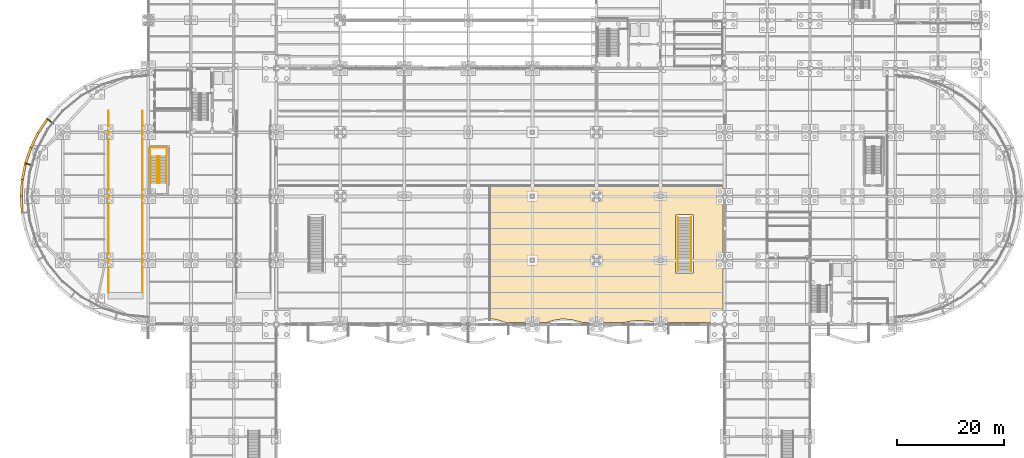
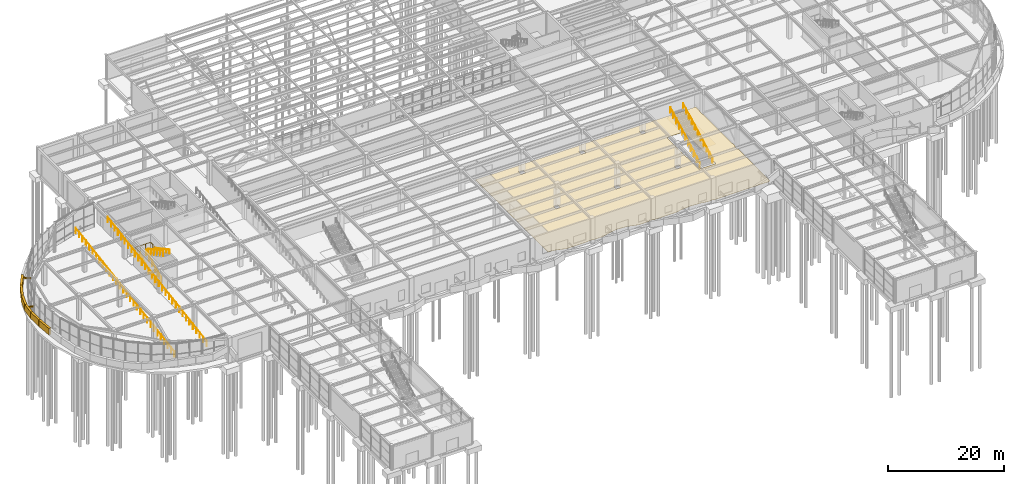
# One storey, part 76 of 85: 9 coverings, 8 railings.
"""IFC4 building model written with IfcOpenShell, lengths in metres."""

from ifc_helpers import new_model, si_unit, direction, frame, frame_2d, origin, origin_2d, place, context, subcontext, project, spatial, polyline, rectangle, circle, outline, extrude, material, layer, layer_set, type_object, element, save


model = new_model("IFC4")

# Units and contexts
model_context = context("Model", 3, precision=1e-05, world=origin(), true_north=direction((0.0, 1.0)))
body_context = subcontext(model_context, "Body", "Model", "MODEL_VIEW")
ifc_project = project(units=[si_unit("LENGTHUNIT", "METRE"), si_unit("AREAUNIT", "SQUARE_METRE"), si_unit("VOLUMEUNIT", "CUBIC_METRE"), si_unit("PLANEANGLEUNIT", "RADIAN"), si_unit("MASSUNIT", "GRAM", prefix="KILO")], contexts=[model_context])

# Site, building, storey
site_placement = place(None, origin())
site = spatial("IfcSite", under=ifc_project, at=site_placement, CompositionType="ELEMENT")
building_placement = place(site_placement, origin())
building = spatial("IfcBuilding", under=site, at=building_placement, Name="Keelwater Ferry Terminal", CompositionType="ELEMENT")
storey_placement = place(building_placement, origin())
storey = spatial("IfcBuildingStorey", under=building, at=storey_placement, Name="L00", CompositionType="ELEMENT", Elevation=0.0)

# Covering
ifc_material_1 = material(Name="Polished mineral terrazzo tile", Category="stone")
ifc_layer_1 = layer(ifc_material_1, 0.030029296875)
ifc_layer_set_1 = layer_set([ifc_layer_1], Name="Polished mineral terrazzo tile")
covering_type_1 = type_object("IfcCoveringType", Name="FL-TZ Marine Terrazzo Flooring", PredefinedType="FLOORING", material=ifc_layer_set_1)
covering_1_placement = place(storey_placement, origin())
element("IfcCovering", 1, at=covering_1_placement, inside=storey, type_object=covering_type_1, Name="Passenger Security Check-In Hall Terrazzo Floor", PredefinedType="FLOORING", context=body_context, shape_type="SweptSolid", body=[
    extrude(outline(polyline([(95.56298828125, 42.320068359375), (95.554931640625, 42.320068359375), (91.1650390625, 42.320068359375), (91.156982421875, 42.320068359375), (91.14892578125, 42.322021484375), (91.14111328125, 42.323974609375), (91.135986328125, 42.324951171875), (90.986083984375, 42.376953125), (90.97802734375, 42.3798828125), (89.18994140625, 42.93994140625), (89.160888671875, 42.947998046875), (89.132080078125, 42.951904296875), (87.987060546875, 43.05810546875), (87.985107421875, 43.05810546875), (87.97705078125, 43.06005859375), (87.969970703125, 43.06298828125), (87.962890625, 43.06591796875), (87.9560546875, 43.070068359375), (87.948974609375, 43.074951171875), (87.944091796875, 43.080078125), (87.93798828125, 43.0859375), (87.93408203125, 43.092041015625), (87.928955078125, 43.09912109375), (87.926025390625, 43.10595703125), (87.923095703125, 43.114013671875), (87.922119140625, 43.12109375), (87.919921875, 43.12890625), (87.919921875, 43.136962890625), (87.919921875, 68.0), (87.919921875, 68.008056640625), (87.922119140625, 68.01611328125), (87.923095703125, 68.02294921875), (87.926025390625, 68.031005859375), (87.928955078125, 68.0380859375), (87.93310546875, 68.0439453125), (87.93798828125, 68.051025390625), (87.943115234375, 68.056884765625), (87.948974609375, 68.06201171875), (87.9560546875, 68.06689453125), (87.9619140625, 68.071044921875), (87.968994140625, 68.073974609375), (87.97705078125, 68.076904296875), (87.98388671875, 68.077880859375), (87.991943359375, 68.080078125), (88.0, 68.080078125), (131.60009765625, 68.080078125), (131.60791015625, 68.080078125), (131.615966796875, 68.077880859375), (131.623046875, 68.076904296875), (131.631103515625, 68.073974609375), (131.637939453125, 68.071044921875), (131.64404296875, 68.06689453125), (131.65087890625, 68.06201171875), (131.656982421875, 68.056884765625), (131.662109375, 68.051025390625), (131.6669921875, 68.0439453125), (131.6708984375, 68.0380859375), (131.674072265625, 68.031005859375), (131.677001953125, 68.02294921875), (131.677978515625, 68.01611328125), (131.679931640625, 68.008056640625), (131.679931640625, 68.0), (131.679931640625, 66.445068359375), (131.679931640625, 66.43701171875), (131.678955078125, 66.43505859375), (131.56494140625, 66.43505859375), (131.56494140625, 65.56494140625), (131.678955078125, 65.56494140625), (131.679931640625, 65.56298828125), (131.679931640625, 65.554931640625), (131.679931640625, 54.445068359375), (131.679931640625, 54.43701171875), (131.678955078125, 54.43505859375), (131.56494140625, 54.43505859375), (131.56494140625, 53.56494140625), (131.678955078125, 53.56494140625), (131.679931640625, 53.56298828125), (131.679931640625, 53.554931640625), (131.679931640625, 42.52001953125), (131.679931640625, 42.511962890625), (131.678955078125, 42.510009765625), (131.489990234375, 42.510009765625), (131.489990234375, 42.321044921875), (131.488037109375, 42.320068359375), (131.47998046875, 42.320068359375), (130.7060546875, 42.320068359375), (130.7041015625, 42.320068359375), (130.693115234375, 42.320068359375), (130.221923828125, 42.3349609375), (130.212890625, 42.3349609375), (130.212890625, 42.3349609375), (130.212890625, 42.3349609375), (128.428955078125, 42.337890625), (128.428955078125, 42.337890625), (128.426025390625, 42.337890625), (128.410888671875, 42.337890625), (128.094970703125, 42.320068359375), (128.091064453125, 42.320068359375), (120.445068359375, 42.320068359375), (120.43701171875, 42.320068359375), (120.43505859375, 42.321044921875), (120.43505859375, 42.43505859375), (119.56494140625, 42.43505859375), (119.56494140625, 42.360107421875), (119.55810546875, 42.35888671875), (119.550048828125, 42.35888671875), (119.547119140625, 42.35888671875), (119.531005859375, 42.362060546875), (117.7451171875, 42.64208984375), (117.718017578125, 42.64501953125), (115.930908203125, 42.75), (115.908935546875, 42.75), (115.886962890625, 42.7490234375), (114.10009765625, 42.56689453125), (114.06689453125, 42.56103515625), (113.001953125, 42.322021484375), (112.993896484375, 42.320068359375), (112.985107421875, 42.320068359375), (108.445068359375, 42.320068359375), (108.43701171875, 42.320068359375), (108.43505859375, 42.321044921875), (108.43505859375, 42.43505859375), (107.56494140625, 42.43505859375), (107.56494140625, 42.321044921875), (107.56298828125, 42.320068359375), (107.554931640625, 42.320068359375), (105.5439453125, 42.320068359375), (105.537109375, 42.320068359375), (105.530029296875, 42.321044921875), (105.52490234375, 42.322021484375), (105.26806640625, 42.39599609375), (105.263916015625, 42.39697265625), (103.47705078125, 42.8798828125), (103.452880859375, 42.885986328125), (103.451904296875, 42.885986328125), (103.450927734375, 42.885986328125), (103.427001953125, 42.888916015625), (101.639892578125, 43.0390625), (101.616943359375, 43.0400390625), (101.593994140625, 43.0390625), (101.571044921875, 43.035888671875), (99.783935546875, 42.739013671875), (99.76708984375, 42.736083984375), (99.762939453125, 42.735107421875), (99.759033203125, 42.73388671875), (99.741943359375, 42.72900390625), (98.512939453125, 42.323974609375), (98.506103515625, 42.322021484375), (98.4970703125, 42.320068359375), (98.489013671875, 42.320068359375), (96.445068359375, 42.320068359375), (96.43701171875, 42.320068359375), (96.43505859375, 42.321044921875), (96.43505859375, 42.43505859375), (95.56494140625, 42.43505859375), (95.56494140625, 42.321044921875), (95.56298828125, 42.320068359375)]), holes=[polyline([(123.080078125, 62.47998046875), (122.800048828125, 62.47998046875), (122.800048828125, 51.60009765625), (126.199951171875, 51.60009765625), (126.199951171875, 62.47998046875), (125.919921875, 62.47998046875), (125.919921875, 62.6201171875), (123.080078125, 62.6201171875), (123.080078125, 62.47998046875)]), polyline([(107.56494140625, 54.43505859375), (107.56494140625, 53.56494140625), (108.43505859375, 53.56494140625), (108.43505859375, 54.43505859375), (107.56494140625, 54.43505859375)]), polyline([(96.43505859375, 54.43505859375), (95.56494140625, 54.43505859375), (95.56494140625, 53.56494140625), (96.43505859375, 53.56494140625), (96.43505859375, 54.43505859375)]), polyline([(119.56494140625, 54.43505859375), (119.56494140625, 53.56494140625), (120.43505859375, 53.56494140625), (120.43505859375, 54.43505859375), (119.56494140625, 54.43505859375)]), polyline([(108.43505859375, 66.43505859375), (107.56494140625, 66.43505859375), (107.56494140625, 65.56494140625), (108.43505859375, 65.56494140625), (108.43505859375, 66.43505859375)]), polyline([(95.56494140625, 66.43505859375), (95.56494140625, 65.56494140625), (96.43505859375, 65.56494140625), (96.43505859375, 66.43505859375), (95.56494140625, 66.43505859375)]), polyline([(120.43505859375, 66.43505859375), (119.56494140625, 66.43505859375), (119.56494140625, 65.56494140625), (120.43505859375, 65.56494140625), (120.43505859375, 66.43505859375)])]), origin(), (0.0, 0.0, 1.0), 0.030029296875),
])

# Railings
ifc_material_2 = material(Name="Painted Steel S355", Category="steel")
railing_type_1 = type_object("IfcRailingType", Name="GR-115 Stair Well Guardrail", PredefinedType="GUARDRAIL", material=ifc_material_2)
railing_1_placement = place(storey_placement, frame((25.7099609375, 68.5, 0.0)))
element("IfcRailing", 2, at=railing_1_placement, inside=storey, type_object=railing_type_1, Name="Stair ST-W6-L00 Inner Well Guard 104", PredefinedType="GUARDRAIL", context=body_context, shape_type="SweptSolid", body=[
    extrude(circle(Radius=0.02392578125, at=origin_2d()), frame((0.0, 0.0, 1.1259765625), z_axis=(0.0, 0.881485048194, 0.472211933151), x_axis=(-1.0, 0.0, 0.0)), (0.0, 0.0, 1.0), 5.7177734375),
    extrude(circle(Radius=0.02392578125, at=origin_2d()), frame((0.0, 5.0400390625, 3.82568359375), z_axis=(1.0, 0.0, 0.0), x_axis=(0.0, 1.0, 0.0)), (0.0, 0.0, 1.0), 0.419921875),
    extrude(circle(Radius=0.02392578125, at=origin_2d()), frame((0.419921875, 5.0400390625, 3.82568359375), z_axis=(0.0, -0.881485048194, 0.472211933151), x_axis=(1.0, 0.0, 0.0)), (0.0, 0.0, 1.0), 5.7177734375),
    extrude(circle(Radius=0.02099609375, at=origin_2d()), origin(), (0.0, 0.0, 1.0), 1.101806640625),
    extrude(circle(Radius=0.02099609375, at=origin_2d()), frame((0.0, 1.008056640625, 0.5400390625)), (0.0, 0.0, 1.0), 1.101806640625),
    extrude(circle(Radius=0.02099609375, at=origin_2d()), frame((0.0, 2.01611328125, 1.080078125)), (0.0, 0.0, 1.0), 1.101806640625),
    extrude(circle(Radius=0.02099609375, at=origin_2d()), frame((0.0, 3.02392578125, 1.619873046875)), (0.0, 0.0, 1.0), 1.101806640625),
    extrude(circle(Radius=0.02099609375, at=origin_2d()), frame((0.0, 4.031982421875, 2.159912109375)), (0.0, 0.0, 1.0), 1.101806640625),
    extrude(circle(Radius=0.02099609375, at=origin_2d()), frame((0.0, 5.0400390625, 2.699951171875)), (0.0, 0.0, 1.0), 1.101806640625),
    extrude(circle(Radius=0.02099609375, at=origin_2d()), frame((0.419921875, 5.0400390625, 2.699951171875)), (0.0, 0.0, 1.0), 1.101806640625),
    extrude(circle(Radius=0.02099609375, at=origin_2d()), frame((0.419921875, 4.031982421875, 3.239990234375)), (0.0, 0.0, 1.0), 1.101806640625),
    extrude(circle(Radius=0.02099609375, at=origin_2d()), frame((0.419921875, 3.02392578125, 3.780029296875)), (0.0, 0.0, 1.0), 1.101806640625),
    extrude(circle(Radius=0.02099609375, at=origin_2d()), frame((0.419921875, 2.01611328125, 4.31982421875)), (0.0, 0.0, 1.0), 1.101806640625),
    extrude(circle(Radius=0.02099609375, at=origin_2d()), frame((0.419921875, 1.008056640625, 4.85986328125)), (0.0, 0.0, 1.0), 1.101806640625),
    extrude(circle(Radius=0.02099609375, at=origin_2d()), frame((0.419921875, 0.0, 5.39990234375)), (0.0, 0.0, 1.0), 1.101806640625),
])
railing_2_placement = place(storey_placement, frame((24.39990234375, 73.5400390625, 2.699951171875)))
element("IfcRailing", 3, at=railing_2_placement, inside=storey, type_object=railing_type_1, Name="Stair ST-W6-L00 Half-Landing Guard 105", PredefinedType="GUARDRAIL", context=body_context, shape_type="SweptSolid", body=[
    extrude(circle(Radius=0.02392578125, at=origin_2d()), frame((0.0, 0.0, 1.1259765625), z_axis=(-1.0, 0.0, 0.0), x_axis=(0.0, -1.0, 0.0)), (0.0, 0.0, 1.0), 0.02001953125),
    extrude(circle(Radius=0.02392578125, at=origin_2d()), frame((-0.02001953125, 0.0, 1.1259765625), z_axis=(0.0, 1.0, 0.0), x_axis=(-1.0, 0.0, 0.0)), (0.0, 0.0, 1.0), 1.580078125),
    extrude(circle(Radius=0.02392578125, at=origin_2d()), frame((-0.02001953125, 1.580078125, 1.1259765625), z_axis=(1.0, 0.0, 0.0), x_axis=(0.0, 1.0, 0.0)), (0.0, 0.0, 1.0), 3.090087890625),
    extrude(circle(Radius=0.02392578125, at=origin_2d()), frame((3.070068359375, 1.580078125, 1.1259765625), z_axis=(0.0, -1.0, 0.0), x_axis=(1.0, 0.0, 0.0)), (0.0, 0.0, 1.0), 1.580078125),
    extrude(circle(Radius=0.02392578125, at=origin_2d()), frame((3.070068359375, 0.0, 1.1259765625), z_axis=(-1.0, 0.0, 0.0), x_axis=(0.0, -1.0, 0.0)), (0.0, 0.0, 1.0), 0.030029296875),
    extrude(circle(Radius=0.02099609375, at=origin_2d()), origin(), (0.0, 0.0, 1.0), 1.101806640625),
    extrude(circle(Radius=0.02099609375, at=origin_2d()), frame((-0.02001953125, 0.0, 0.0)), (0.0, 0.0, 1.0), 1.101806640625),
    extrude(circle(Radius=0.02099609375, at=origin_2d()), frame((-0.02001953125, 0.7900390625, 0.0)), (0.0, 0.0, 1.0), 1.101806640625),
    extrude(circle(Radius=0.02099609375, at=origin_2d()), frame((-0.02001953125, 1.580078125, 0.0)), (0.0, 0.0, 1.0), 1.101806640625),
    extrude(circle(Radius=0.02099609375, at=origin_2d()), frame((1.010009765625, 1.580078125, 0.0)), (0.0, 0.0, 1.0), 1.101806640625),
    extrude(circle(Radius=0.02099609375, at=origin_2d()), frame((2.0400390625, 1.580078125, 0.0)), (0.0, 0.0, 1.0), 1.101806640625),
    extrude(circle(Radius=0.02099609375, at=origin_2d()), frame((3.070068359375, 1.580078125, 0.0)), (0.0, 0.0, 1.0), 1.101806640625),
    extrude(circle(Radius=0.02099609375, at=origin_2d()), frame((3.070068359375, 0.7900390625, 0.0)), (0.0, 0.0, 1.0), 1.101806640625),
    extrude(circle(Radius=0.02099609375, at=origin_2d()), frame((3.070068359375, 0.0, 0.0)), (0.0, 0.0, 1.0), 1.101806640625),
    extrude(circle(Radius=0.02099609375, at=origin_2d()), frame((3.0400390625, 0.0, 0.0)), (0.0, 0.0, 1.0), 1.101806640625),
])
for number, where, name in (
    (4, (125.760009765625, 52.0, 0.0), "Straight Stair GS-02 Flight Guard 118"),
    (5, (123.239990234375, 52.0, 0.0), "Straight Stair GS-02 Flight Guard 119"),
):
    element("IfcRailing", number, at=place(storey_placement, frame(where)), inside=storey, type_object=railing_type_1, Name=name, PredefinedType="GUARDRAIL", context=body_context, shape_type="SweptSolid", body=[
        extrude(circle(Radius=0.02392578125, at=origin_2d()), frame((0.0, 0.0, 1.1259765625), z_axis=(0.0, 0.881485048194, 0.472211933151), x_axis=(-1.0, 0.0, 0.0)), (0.0, 0.0, 1.0), 11.435302734375),
        extrude(circle(Radius=0.02099609375, at=origin_2d()), origin(), (0.0, 0.0, 1.0), 1.101806640625),
        extrude(circle(Radius=0.02099609375, at=origin_2d()), frame((0.0, 1.008056640625, 0.5400390625)), (0.0, 0.0, 1.0), 1.101806640625),
        extrude(circle(Radius=0.02099609375, at=origin_2d()), frame((0.0, 2.01611328125, 1.080078125)), (0.0, 0.0, 1.0), 1.101806640625),
        extrude(circle(Radius=0.02099609375, at=origin_2d()), frame((0.0, 3.02392578125, 1.619873046875)), (0.0, 0.0, 1.0), 1.101806640625),
        extrude(circle(Radius=0.02099609375, at=origin_2d()), frame((0.0, 4.031982421875, 2.159912109375)), (0.0, 0.0, 1.0), 1.101806640625),
        extrude(circle(Radius=0.02099609375, at=origin_2d()), frame((0.0, 5.0400390625, 2.699951171875)), (0.0, 0.0, 1.0), 1.101806640625),
        extrude(circle(Radius=0.02099609375, at=origin_2d()), frame((0.0, 6.048095703125, 3.239990234375)), (0.0, 0.0, 1.0), 1.101806640625),
        extrude(circle(Radius=0.02099609375, at=origin_2d()), frame((0.0, 7.05615234375, 3.780029296875)), (0.0, 0.0, 1.0), 1.101806640625),
        extrude(circle(Radius=0.02099609375, at=origin_2d()), frame((0.0, 8.06396484375, 4.31982421875)), (0.0, 0.0, 1.0), 1.101806640625),
        extrude(circle(Radius=0.02099609375, at=origin_2d()), frame((0.0, 9.072021484375, 4.85986328125)), (0.0, 0.0, 1.0), 1.101806640625),
        extrude(circle(Radius=0.02099609375, at=origin_2d()), frame((0.0, 10.080078125, 5.39990234375)), (0.0, 0.0, 1.0), 1.101806640625),
    ])
railing_3_placement = place(storey_placement, frame((16.56005859375, 48.0, 0.0)))
element("IfcRailing", 6, at=railing_3_placement, inside=storey, type_object=railing_type_1, Name="VR1 Sloped Ramp Guard 133", PredefinedType="GUARDRAIL", context=body_context, shape_type="SweptSolid", body=[
    extrude(circle(Radius=0.02392578125, at=origin_2d()), frame((0.0, 0.0, 1.1259765625), z_axis=(0.0, 0.987621686258, 0.156854725246), x_axis=(-1.0, 0.0, 0.0)), (0.0, 0.0, 1.0), 34.426025390625),
    extrude(circle(Radius=0.02099609375, at=origin_2d()), origin(), (0.0, 0.0, 1.0), 1.101806640625),
    extrude(circle(Radius=0.02099609375, at=origin_2d()), frame((0.0, 1.17236328125, 0.186279296875)), (0.0, 0.0, 1.0), 1.101806640625),
    extrude(circle(Radius=0.02099609375, at=origin_2d()), frame((0.0, 2.3447265625, 0.372314453125)), (0.0, 0.0, 1.0), 1.101806640625),
    extrude(circle(Radius=0.02099609375, at=origin_2d()), frame((0.0, 3.517333984375, 0.55859375)), (0.0, 0.0, 1.0), 1.101806640625),
    extrude(circle(Radius=0.02099609375, at=origin_2d()), frame((0.0, 4.689697265625, 0.744873046875)), (0.0, 0.0, 1.0), 1.101806640625),
    extrude(circle(Radius=0.02099609375, at=origin_2d()), frame((0.0, 5.862060546875, 0.930908203125)), (0.0, 0.0, 1.0), 1.101806640625),
    extrude(circle(Radius=0.02099609375, at=origin_2d()), frame((0.0, 7.034423828125, 1.1171875)), (0.0, 0.0, 1.0), 1.101806640625),
    extrude(circle(Radius=0.02099609375, at=origin_2d()), frame((0.0, 8.206787109375, 1.303466796875)), (0.0, 0.0, 1.0), 1.101806640625),
    extrude(circle(Radius=0.02099609375, at=origin_2d()), frame((0.0, 9.37939453125, 1.48974609375)), (0.0, 0.0, 1.0), 1.101806640625),
    extrude(circle(Radius=0.02099609375, at=origin_2d()), frame((0.0, 10.5517578125, 1.67578125)), (0.0, 0.0, 1.0), 1.101806640625),
    extrude(circle(Radius=0.02099609375, at=origin_2d()), frame((0.0, 11.72412109375, 1.862060546875)), (0.0, 0.0, 1.0), 1.101806640625),
    extrude(circle(Radius=0.02099609375, at=origin_2d()), frame((0.0, 12.896484375, 2.04833984375)), (0.0, 0.0, 1.0), 1.101806640625),
    extrude(circle(Radius=0.02099609375, at=origin_2d()), frame((0.0, 14.06884765625, 2.234375)), (0.0, 0.0, 1.0), 1.101806640625),
    extrude(circle(Radius=0.02099609375, at=origin_2d()), frame((0.0, 15.241455078125, 2.420654296875)), (0.0, 0.0, 1.0), 1.101806640625),
    extrude(circle(Radius=0.02099609375, at=origin_2d()), frame((0.0, 16.413818359375, 2.60693359375)), (0.0, 0.0, 1.0), 1.101806640625),
    extrude(circle(Radius=0.02099609375, at=origin_2d()), frame((0.0, 17.586181640625, 2.79296875)), (0.0, 0.0, 1.0), 1.101806640625),
    extrude(circle(Radius=0.02099609375, at=origin_2d()), frame((0.0, 18.758544921875, 2.979248046875)), (0.0, 0.0, 1.0), 1.101806640625),
    extrude(circle(Radius=0.02099609375, at=origin_2d()), frame((0.0, 19.93115234375, 3.16552734375)), (0.0, 0.0, 1.0), 1.101806640625),
    extrude(circle(Radius=0.02099609375, at=origin_2d()), frame((0.0, 21.103515625, 3.3515625)), (0.0, 0.0, 1.0), 1.101806640625),
    extrude(circle(Radius=0.02099609375, at=origin_2d()), frame((0.0, 22.27587890625, 3.537841796875)), (0.0, 0.0, 1.0), 1.101806640625),
    extrude(circle(Radius=0.02099609375, at=origin_2d()), frame((0.0, 23.4482421875, 3.72412109375)), (0.0, 0.0, 1.0), 1.101806640625),
    extrude(circle(Radius=0.02099609375, at=origin_2d()), frame((0.0, 24.62060546875, 3.91015625)), (0.0, 0.0, 1.0), 1.101806640625),
    extrude(circle(Radius=0.02099609375, at=origin_2d()), frame((0.0, 25.793212890625, 4.096435546875)), (0.0, 0.0, 1.0), 1.101806640625),
    extrude(circle(Radius=0.02099609375, at=origin_2d()), frame((0.0, 26.965576171875, 4.28271484375)), (0.0, 0.0, 1.0), 1.101806640625),
    extrude(circle(Radius=0.02099609375, at=origin_2d()), frame((0.0, 28.137939453125, 4.468994140625)), (0.0, 0.0, 1.0), 1.101806640625),
    extrude(circle(Radius=0.02099609375, at=origin_2d()), frame((0.0, 29.310302734375, 4.655029296875)), (0.0, 0.0, 1.0), 1.101806640625),
    extrude(circle(Radius=0.02099609375, at=origin_2d()), frame((0.0, 30.482666015625, 4.84130859375)), (0.0, 0.0, 1.0), 1.101806640625),
    extrude(circle(Radius=0.02099609375, at=origin_2d()), frame((0.0, 31.6552734375, 5.027587890625)), (0.0, 0.0, 1.0), 1.101806640625),
    extrude(circle(Radius=0.02099609375, at=origin_2d()), frame((0.0, 32.82763671875, 5.213623046875)), (0.0, 0.0, 1.0), 1.101806640625),
    extrude(circle(Radius=0.02099609375, at=origin_2d()), frame((0.0, 34.0, 5.39990234375)), (0.0, 0.0, 1.0), 1.101806640625),
])
railing_4_placement = place(storey_placement, frame((22.93994140625, 48.0, 0.0)))
element("IfcRailing", 7, at=railing_4_placement, inside=storey, type_object=railing_type_1, Name="VR1 Sloped Ramp Guard 134", PredefinedType="GUARDRAIL", context=body_context, shape_type="SweptSolid", body=[
    extrude(circle(Radius=0.02392578125, at=origin_2d()), frame((0.0, 0.0, 1.1259765625), z_axis=(0.0, 0.987621686258, 0.156854725246), x_axis=(-1.0, 0.0, 0.0)), (0.0, 0.0, 1.0), 34.426025390625),
    extrude(circle(Radius=0.02099609375, at=origin_2d()), origin(), (0.0, 0.0, 1.0), 1.101806640625),
    extrude(circle(Radius=0.02099609375, at=origin_2d()), frame((0.0, 1.17236328125, 0.186279296875)), (0.0, 0.0, 1.0), 1.101806640625),
    extrude(circle(Radius=0.02099609375, at=origin_2d()), frame((0.0, 2.3447265625, 0.372314453125)), (0.0, 0.0, 1.0), 1.101806640625),
    extrude(circle(Radius=0.02099609375, at=origin_2d()), frame((0.0, 3.517333984375, 0.55859375)), (0.0, 0.0, 1.0), 1.101806640625),
    extrude(circle(Radius=0.02099609375, at=origin_2d()), frame((0.0, 4.689697265625, 0.744873046875)), (0.0, 0.0, 1.0), 1.101806640625),
    extrude(circle(Radius=0.02099609375, at=origin_2d()), frame((0.0, 5.862060546875, 0.930908203125)), (0.0, 0.0, 1.0), 1.101806640625),
    extrude(circle(Radius=0.02099609375, at=origin_2d()), frame((0.0, 7.034423828125, 1.1171875)), (0.0, 0.0, 1.0), 1.101806640625),
    extrude(circle(Radius=0.02099609375, at=origin_2d()), frame((0.0, 8.206787109375, 1.303466796875)), (0.0, 0.0, 1.0), 1.101806640625),
    extrude(circle(Radius=0.02099609375, at=origin_2d()), frame((0.0, 9.37939453125, 1.48974609375)), (0.0, 0.0, 1.0), 1.101806640625),
    extrude(circle(Radius=0.02099609375, at=origin_2d()), frame((0.0, 10.5517578125, 1.67578125)), (0.0, 0.0, 1.0), 1.101806640625),
    extrude(circle(Radius=0.02099609375, at=origin_2d()), frame((0.0, 11.72412109375, 1.862060546875)), (0.0, 0.0, 1.0), 1.101806640625),
    extrude(circle(Radius=0.02099609375, at=origin_2d()), frame((0.0, 12.896484375, 2.04833984375)), (0.0, 0.0, 1.0), 1.101806640625),
    extrude(circle(Radius=0.02099609375, at=origin_2d()), frame((0.0, 14.06884765625, 2.234375)), (0.0, 0.0, 1.0), 1.101806640625),
    extrude(circle(Radius=0.02099609375, at=origin_2d()), frame((0.0, 15.241455078125, 2.420654296875)), (0.0, 0.0, 1.0), 1.101806640625),
    extrude(circle(Radius=0.02099609375, at=origin_2d()), frame((0.0, 16.413818359375, 2.60693359375)), (0.0, 0.0, 1.0), 1.101806640625),
    extrude(circle(Radius=0.02099609375, at=origin_2d()), frame((0.0, 17.586181640625, 2.79296875)), (0.0, 0.0, 1.0), 1.101806640625),
    extrude(circle(Radius=0.02099609375, at=origin_2d()), frame((0.0, 18.758544921875, 2.979248046875)), (0.0, 0.0, 1.0), 1.101806640625),
    extrude(circle(Radius=0.02099609375, at=origin_2d()), frame((0.0, 19.93115234375, 3.16552734375)), (0.0, 0.0, 1.0), 1.101806640625),
    extrude(circle(Radius=0.02099609375, at=origin_2d()), frame((0.0, 21.103515625, 3.3515625)), (0.0, 0.0, 1.0), 1.101806640625),
    extrude(circle(Radius=0.02099609375, at=origin_2d()), frame((0.0, 22.27587890625, 3.537841796875)), (0.0, 0.0, 1.0), 1.101806640625),
    extrude(circle(Radius=0.02099609375, at=origin_2d()), frame((0.0, 23.4482421875, 3.72412109375)), (0.0, 0.0, 1.0), 1.101806640625),
    extrude(circle(Radius=0.02099609375, at=origin_2d()), frame((0.0, 24.62060546875, 3.91015625)), (0.0, 0.0, 1.0), 1.101806640625),
    extrude(circle(Radius=0.02099609375, at=origin_2d()), frame((0.0, 25.793212890625, 4.096435546875)), (0.0, 0.0, 1.0), 1.101806640625),
    extrude(circle(Radius=0.02099609375, at=origin_2d()), frame((0.0, 26.965576171875, 4.28271484375)), (0.0, 0.0, 1.0), 1.101806640625),
    extrude(circle(Radius=0.02099609375, at=origin_2d()), frame((0.0, 28.137939453125, 4.468994140625)), (0.0, 0.0, 1.0), 1.101806640625),
    extrude(circle(Radius=0.02099609375, at=origin_2d()), frame((0.0, 29.310302734375, 4.655029296875)), (0.0, 0.0, 1.0), 1.101806640625),
    extrude(circle(Radius=0.02099609375, at=origin_2d()), frame((0.0, 30.482666015625, 4.84130859375)), (0.0, 0.0, 1.0), 1.101806640625),
    extrude(circle(Radius=0.02099609375, at=origin_2d()), frame((0.0, 31.6552734375, 5.027587890625)), (0.0, 0.0, 1.0), 1.101806640625),
    extrude(circle(Radius=0.02099609375, at=origin_2d()), frame((0.0, 32.82763671875, 5.213623046875)), (0.0, 0.0, 1.0), 1.101806640625),
    extrude(circle(Radius=0.02099609375, at=origin_2d()), frame((0.0, 34.0, 5.39990234375)), (0.0, 0.0, 1.0), 1.101806640625),
])
ifc_material_3 = material(Name="Brushed stainless steel handrail", Category="steel")
railing_type_2 = type_object("IfcRailingType", Name="HR-920 Stair Pitch Handrail", PredefinedType="HANDRAIL", material=ifc_material_3)
railing_5_placement = place(storey_placement, frame((24.4599609375, 68.5, 0.0)))
element("IfcRailing", 8, at=railing_5_placement, inside=storey, type_object=railing_type_2, Name="Stair ST-W6-L00 Flight 1 Handrail 106", PredefinedType="HANDRAIL", context=body_context, shape_type="SweptSolid", body=[
    extrude(circle(Radius=0.02392578125, at=origin_2d()), frame((0.0, 0.0, 0.89599609375), z_axis=(0.0, 0.881485048194, 0.472211933151), x_axis=(-1.0, 0.0, 0.0)), (0.0, 0.0, 1.0), 5.7177734375),
    extrude(circle(Radius=0.02099609375, at=origin_2d()), origin(), (0.0, 0.0, 1.0), 0.871826171875),
    extrude(circle(Radius=0.02099609375, at=origin_2d()), frame((0.0, 1.008056640625, 0.5400390625)), (0.0, 0.0, 1.0), 0.871826171875),
    extrude(circle(Radius=0.02099609375, at=origin_2d()), frame((0.0, 2.01611328125, 1.080078125)), (0.0, 0.0, 1.0), 0.871826171875),
    extrude(circle(Radius=0.02099609375, at=origin_2d()), frame((0.0, 3.02392578125, 1.619873046875)), (0.0, 0.0, 1.0), 0.871826171875),
    extrude(circle(Radius=0.02099609375, at=origin_2d()), frame((0.0, 4.031982421875, 2.159912109375)), (0.0, 0.0, 1.0), 0.871826171875),
    extrude(circle(Radius=0.02099609375, at=origin_2d()), frame((0.0, 5.0400390625, 2.699951171875)), (0.0, 0.0, 1.0), 0.871826171875),
])
railing_6_placement = place(storey_placement, frame((27.3798828125, 73.5400390625, 2.699951171875)))
element("IfcRailing", 9, at=railing_6_placement, inside=storey, type_object=railing_type_2, Name="Stair ST-W6-L00 Flight 2 Handrail 107", PredefinedType="HANDRAIL", context=body_context, shape_type="SweptSolid", body=[
    extrude(circle(Radius=0.02392578125, at=origin_2d()), frame((0.0, 0.0, 0.89599609375), z_axis=(0.0, -0.881485048194, 0.472211933151), x_axis=(1.0, 0.0, 0.0)), (0.0, 0.0, 1.0), 5.7177734375),
    extrude(circle(Radius=0.02099609375, at=origin_2d()), origin(), (0.0, 0.0, 1.0), 0.871826171875),
    extrude(circle(Radius=0.02099609375, at=origin_2d()), frame((0.0, -1.008056640625, 0.5400390625)), (0.0, 0.0, 1.0), 0.871826171875),
    extrude(circle(Radius=0.02099609375, at=origin_2d()), frame((0.0, -2.01611328125, 1.080078125)), (0.0, 0.0, 1.0), 0.871826171875),
    extrude(circle(Radius=0.02099609375, at=origin_2d()), frame((0.0, -3.02392578125, 1.619873046875)), (0.0, 0.0, 1.0), 0.871826171875),
    extrude(circle(Radius=0.02099609375, at=origin_2d()), frame((0.0, -4.031982421875, 2.159912109375)), (0.0, 0.0, 1.0), 0.871826171875),
    extrude(circle(Radius=0.02099609375, at=origin_2d()), frame((0.0, -5.0400390625, 2.699951171875)), (0.0, 0.0, 1.0), 0.871826171875),
])

# Coverings
ifc_material_4 = material(Name="Matte white architectural aluminium fascia ribbon", Category="aluminium")
ifc_layer_2 = layer(ifc_material_4, 0.1201171875)
ifc_layer_set_2 = layer_set([ifc_layer_2], Name="Matte white architectural aluminium fascia ribbon")
covering_type_2 = type_object("IfcCoveringType", Name="RB-WHT Matte White Fascia Ribbon", PredefinedType="CLADDING", material=ifc_layer_set_2)
covering_2_placement = place(storey_placement, frame((5.115966796875, 80.52197265625, 0.25), z_axis=(0.0, 0.0, 1.0), x_axis=(-0.55550058618, -0.831516144614, 0.0)))
element("IfcCovering", 10, at=covering_2_placement, inside=storey, type_object=covering_type_2, Name="Quay Plinth Wave Fascia Ribbon 201", PredefinedType="CLADDING", context=body_context, shape_type="SweptSolid", body=[
    extrude(outline(polyline([(0.0, 0.0), (3.16650390625, 0.0), (3.16650390625, 1.35009765625), (0.0, 1.35009765625), (0.0, 0.0)])), frame((0.0, 0.2099609375, 0.0), z_axis=(0.0, -1.0, 0.0), x_axis=(1.0, 0.0, 0.0)), (0.0, 0.0, 1.0), 0.419921875),
])
covering_3_placement = place(storey_placement, frame((5.10205078125, 80.5009765625, 0.784912109375), z_axis=(0.0, 0.0, 1.0), x_axis=(0.793118257484, -0.609067672467, 0.0)))
element("IfcCovering", 11, at=covering_3_placement, inside=storey, type_object=covering_type_2, Name="Ribbon Horizontal Tie Bracket 205", PredefinedType="CLADDING", context=body_context, shape_type="SweptSolid", body=[
    extrude(rectangle(XDim=1.449951171875, YDim=0.159912109375, at=frame_2d((0.72509765625, 0.0))), origin(), (0.0, 0.0, 1.0), 0.280029296875),
])
covering_4_placement = place(storey_placement, frame((3.382080078125, 77.931884765625, 0.25), z_axis=(0.0, 0.0, 1.0), x_axis=(-0.442454846905, -0.896790782987, 0.0)))
element("IfcCovering", 12, at=covering_4_placement, inside=storey, type_object=covering_type_2, Name="Quay Plinth Wave Fascia Ribbon 213", PredefinedType="CLADDING", context=body_context, shape_type="SweptSolid", body=[
    extrude(outline(polyline([(0.0, 0.0), (3.16455078125, 0.0), (3.16455078125, 1.35009765625), (0.0, 1.35009765625), (0.0, 0.0)])), frame((0.0, 0.2099609375, 0.0), z_axis=(0.0, -1.0, 0.0), x_axis=(1.0, 0.0, 0.0)), (0.0, 0.0, 1.0), 0.419921875),
])
covering_5_placement = place(storey_placement, frame((2.0009765625, 75.139892578125, 0.25), z_axis=(0.0, 0.0, 1.0), x_axis=(-0.321196336342, -0.94701262585, 0.0)))
element("IfcCovering", 13, at=covering_5_placement, inside=storey, type_object=covering_type_2, Name="Quay Plinth Wave Fascia Ribbon 217", PredefinedType="CLADDING", context=body_context, shape_type="SweptSolid", body=[
    extrude(outline(polyline([(0.0, 0.0), (3.16650390625, 0.22509765625), (3.16650390625, 1.574951171875), (0.0, 1.35009765625), (0.0, 0.0)])), frame((0.0, 0.2099609375, 0.0), z_axis=(0.0, -1.0, 0.0), x_axis=(1.0, 0.0, 0.0)), (0.0, 0.0, 1.0), 0.419921875),
])
covering_6_placement = place(storey_placement, frame((0.9970703125, 72.18994140625, 0.47509765625), z_axis=(0.0, 0.0, 1.0), x_axis=(-0.195196875454, -0.98076407959, 0.0)))
element("IfcCovering", 14, at=covering_6_placement, inside=storey, type_object=covering_type_2, Name="Quay Plinth Wave Fascia Ribbon 221", PredefinedType="CLADDING", context=body_context, shape_type="SweptSolid", body=[
    extrude(outline(polyline([(0.0, 0.0), (3.1669921875, 0.462890625), (3.1669921875, 1.81298828125), (0.0, 1.349853515625), (0.0, 0.0)])), frame((0.0, 0.2099609375, 0.0), z_axis=(0.0, -1.0, 0.0), x_axis=(1.0, 0.0, 0.0)), (0.0, 0.0, 1.0), 0.419921875),
])
covering_7_placement = place(storey_placement, frame((0.991943359375, 72.1650390625, 1.010009765625), z_axis=(0.0, 0.0, 1.0), x_axis=(0.965999865875, -0.258542567344, 0.0)))
element("IfcCovering", 15, at=covering_7_placement, inside=storey, type_object=covering_type_2, Name="Ribbon Horizontal Tie Bracket 225", PredefinedType="CLADDING", context=body_context, shape_type="SweptSolid", body=[
    extrude(rectangle(XDim=1.450439453125, YDim=0.159912109375, at=frame_2d((0.72509765625, 0.0))), origin(), (0.0, 0.0, 1.0), 0.280029296875),
])
covering_8_placement = place(storey_placement, frame((0.385986328125, 69.134033203125, 0.93798828125), z_axis=(0.0, 0.0, 1.0), x_axis=(-0.065705147067, -0.997839082041, 0.0)))
element("IfcCovering", 16, at=covering_8_placement, inside=storey, type_object=covering_type_2, Name="Quay Plinth Wave Fascia Ribbon 231", PredefinedType="CLADDING", context=body_context, shape_type="SweptSolid", body=[
    extrude(outline(polyline([(0.0, 0.0), (3.165771484375, 0.323974609375), (3.165771484375, 1.674072265625), (0.0, 1.35009765625), (0.0, 0.0)])), frame((0.0, 0.2099609375, 0.0), z_axis=(0.0, -1.0, 0.0), x_axis=(1.0, 0.0, 0.0)), (0.0, 0.0, 1.0), 0.419921875),
])
covering_9_placement = place(storey_placement, frame((0.177978515625, 66.02490234375, 1.261962890625), z_axis=(0.0, 0.0, 1.0), x_axis=(0.065705147067, -0.997839082041, 0.0)))
element("IfcCovering", 17, at=covering_9_placement, inside=storey, type_object=covering_type_2, Name="Quay Plinth Wave Fascia Ribbon 235", PredefinedType="CLADDING", context=body_context, shape_type="SweptSolid", body=[
    extrude(outline(polyline([(0.0, 0.0), (3.165771484375, 0.041015625), (3.165771484375, 1.39111328125), (0.0, 1.35009765625), (0.0, 0.0)])), frame((0.0, 0.2099609375, 0.0), z_axis=(0.0, -1.0, 0.0), x_axis=(1.0, 0.0, 0.0)), (0.0, 0.0, 1.0), 0.419921875),
])

save(model, "model.ifc")
